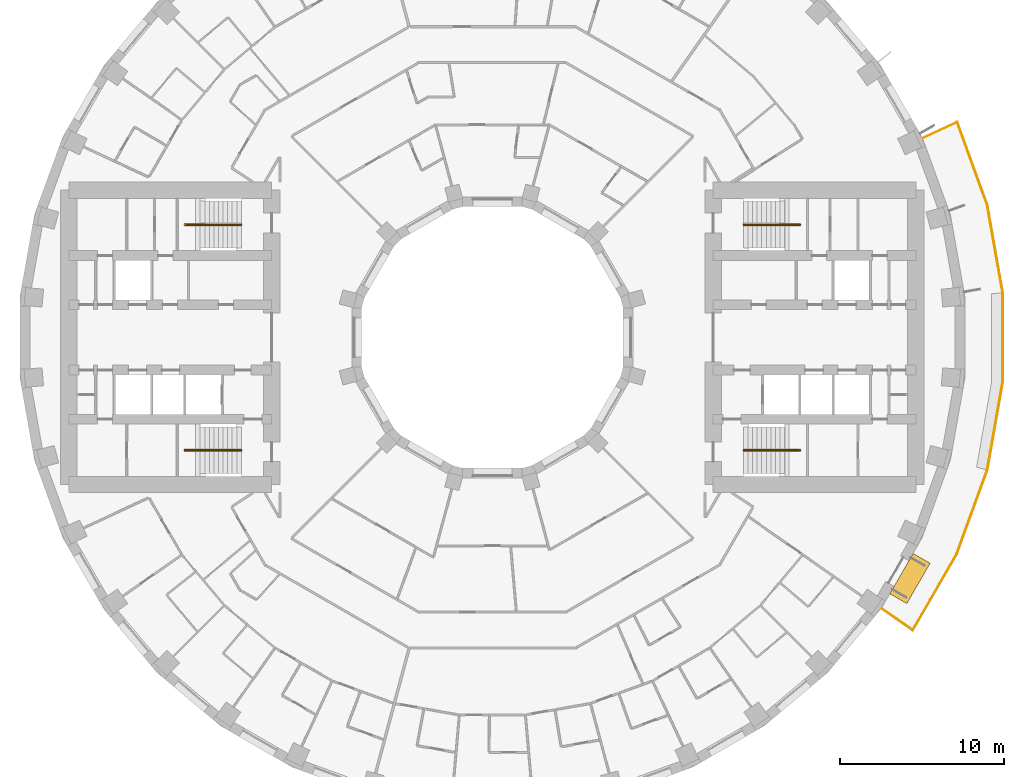
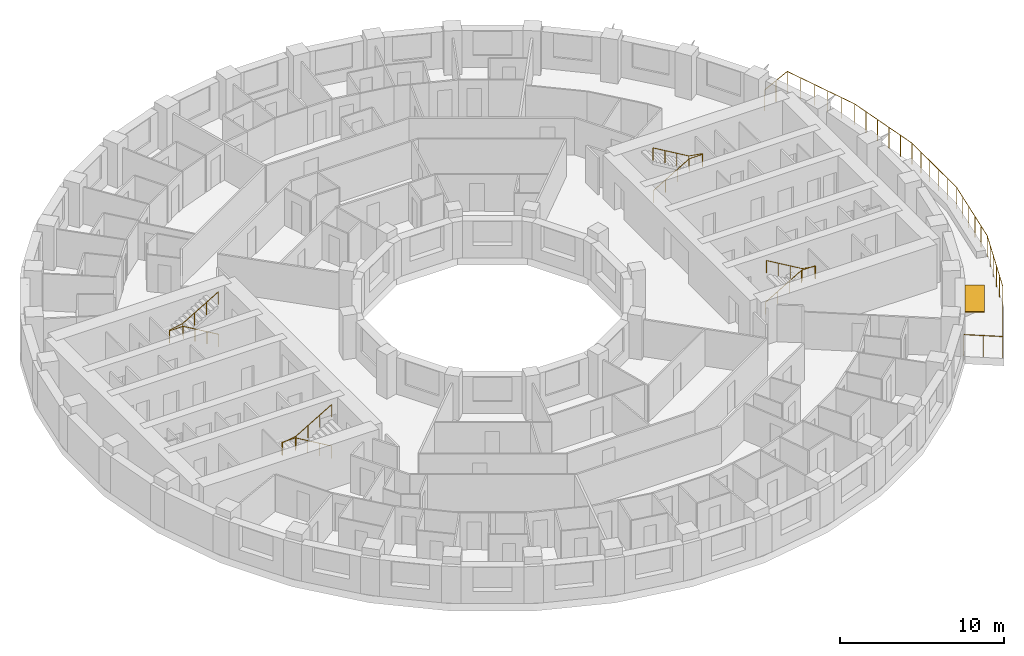
# One storey, part 14 of 14: 5 railings, 1 shading device.
"""IFC4 building model written with IfcOpenShell, lengths in metres."""

from ifc_helpers import new_model, si_unit, direction, frame, origin, origin_2d, place, context, subcontext, project, spatial, rectangle, circle, extrude, material, layer, layer_set, type_object, element, save


model = new_model("IFC4")

# Units and contexts
model_context = context("Model", 3, precision=1e-05, world=origin(), true_north=direction((0.0, 1.0)))
body_context = subcontext(model_context, "Body", "Model", "MODEL_VIEW")
ifc_project = project(units=[si_unit("LENGTHUNIT", "METRE"), si_unit("AREAUNIT", "SQUARE_METRE"), si_unit("VOLUMEUNIT", "CUBIC_METRE"), si_unit("PLANEANGLEUNIT", "RADIAN"), si_unit("MASSUNIT", "GRAM", prefix="KILO")], contexts=[model_context])

# Site, building, storey
site_placement = place(None, origin())
site = spatial("IfcSite", under=ifc_project, at=site_placement, CompositionType="ELEMENT")
building_placement = place(site_placement, origin())
building = spatial("IfcBuilding", under=site, at=building_placement, Name="Saqina Gate Tower", CompositionType="ELEMENT")
storey_placement = place(building_placement, frame((0.0, 0.0, 52.699951171875)))
storey = spatial("IfcBuildingStorey", under=building, at=storey_placement, Name="L14", CompositionType="ELEMENT", Elevation=52.699951171875)

# Shading device
ifc_material_1 = material(Name="Aluminium and fabric awning", Category="aluminium")
ifc_layer = layer(ifc_material_1, 0.050048828125)
ifc_layer_set = layer_set([ifc_layer], Name="AW-TERRACE")
shading_device_type = type_object("IfcShadingDeviceType", Name="AW-TERRACE", PredefinedType="AWNING", material=ifc_layer_set)
shading_device_placement = place(storey_placement, frame((25.538818359375, -14.744873046875, 2.52490234375), z_axis=(0.0, 0.0, 1.0), x_axis=(0.5, 0.866025403784, 0.0)))
element("IfcShadingDevice", 1, at=shading_device_placement, inside=storey, type_object=shading_device_type, Name="Terrace awning L14 facet 33", PredefinedType="AWNING", context=body_context, shape_type="SweptSolid", body=[
    extrude(rectangle(XDim=2.845703125, YDim=1.199951171875, at=origin_2d()), origin(), (0.0, 0.0, 1.0), 0.050048828125),
])

# Railings
ifc_material_2 = material(Name="Stainless steel", Category="steel")
railing_type_1 = type_object("IfcRailingType", Name="RL-TERRACE", PredefinedType="GUARDRAIL", material=ifc_material_2)
railing_1_placement = place(storey_placement, frame((23.752197265625, -16.53369140625, 0.0)))
element("IfcRailing", 2, at=railing_1_placement, inside=storey, type_object=railing_type_1, Name="Terrace guard L14", PredefinedType="GUARDRAIL", context=body_context, shape_type="SweptSolid", body=[
    extrude(circle(Radius=0.02392578125, at=origin_2d()), frame((0.0, 0.0, 1.576171875), z_axis=(0.819111872113, -0.573633803889, 0.0), x_axis=(0.573633803889, 0.819111872113, 0.0)), (0.0, 0.0, 1.0), 2.388916015625),
    extrude(circle(Radius=0.02392578125, at=origin_2d()), frame((1.956787109375, -1.370361328125, 1.576171875), z_axis=(0.49885293236, 0.866686651493, 0.0), x_axis=(-0.866686651493, 0.49885293236, 0.0)), (0.0, 0.0, 1.0), 5.381591796875),
    extrude(circle(Radius=0.02392578125, at=origin_2d()), frame((4.641357421875, 3.293701171875, 1.576171875), z_axis=(0.342048157644, 0.939682423935, 0.0), x_axis=(-0.939682423935, 0.342048157644, 0.0)), (0.0, 0.0, 1.0), 5.4609375),
    extrude(circle(Radius=0.02392578125, at=origin_2d()), frame((6.50927734375, 8.42529296875, 1.576171875), z_axis=(0.17364250929, 0.984808752483, 0.0), x_axis=(-0.984808752483, 0.17364250929, 0.0)), (0.0, 0.0, 1.0), 5.4609375),
    extrude(circle(Radius=0.02392578125, at=origin_2d()), frame((7.45751953125, 13.80322265625, 1.576171875), z_axis=(0.0, 1.0, 0.0), x_axis=(-1.0, 0.0, 0.0)), (0.0, 0.0, 1.0), 5.4609375),
    extrude(circle(Radius=0.02392578125, at=origin_2d()), frame((7.45751953125, 19.26416015625, 1.576171875), z_axis=(-0.17364250929, 0.984808752483, 0.0), x_axis=(-0.984808752483, -0.17364250929, 0.0)), (0.0, 0.0, 1.0), 5.4609375),
    extrude(circle(Radius=0.02392578125, at=origin_2d()), frame((6.50927734375, 24.64208984375, 1.576171875), z_axis=(-0.340810350952, 0.940132067682, 0.0), x_axis=(-0.940132067682, -0.340810350952, 0.0)), (0.0, 0.0, 1.0), 5.38134765625),
    extrude(circle(Radius=0.02392578125, at=origin_2d()), frame((4.67529296875, 29.701171875, 1.576171875), z_axis=(-0.906355396087, -0.422516148785, 0.0), x_axis=(0.422516148785, -0.906355396087, 0.0)), (0.0, 0.0, 1.0), 2.388671875),
    extrude(circle(Radius=0.02099609375, at=origin_2d()), origin(), (0.0, 0.0, 1.0), 1.552001953125),
    extrude(circle(Radius=0.02099609375, at=origin_2d()), frame((0.978515625, -0.68505859375, 0.0)), (0.0, 0.0, 1.0), 1.552001953125),
    extrude(circle(Radius=0.02099609375, at=origin_2d()), frame((1.956787109375, -1.370361328125, 0.0)), (0.0, 0.0, 1.0), 1.552001953125),
    extrude(circle(Radius=0.02099609375, at=origin_2d()), frame((2.49365234375, -0.4375, 0.0)), (0.0, 0.0, 1.0), 1.552001953125),
    extrude(circle(Radius=0.02099609375, at=origin_2d()), frame((3.030517578125, 0.495361328125, 0.0)), (0.0, 0.0, 1.0), 1.552001953125),
    extrude(circle(Radius=0.02099609375, at=origin_2d()), frame((3.567626953125, 1.427978515625, 0.0)), (0.0, 0.0, 1.0), 1.552001953125),
    extrude(circle(Radius=0.02099609375, at=origin_2d()), frame((4.1044921875, 2.36083984375, 0.0)), (0.0, 0.0, 1.0), 1.552001953125),
    extrude(circle(Radius=0.02099609375, at=origin_2d()), frame((4.641357421875, 3.293701171875, 0.0)), (0.0, 0.0, 1.0), 1.552001953125),
    extrude(circle(Radius=0.02099609375, at=origin_2d()), frame((5.014892578125, 4.320068359375, 0.0)), (0.0, 0.0, 1.0), 1.552001953125),
    extrude(circle(Radius=0.02099609375, at=origin_2d()), frame((5.388427734375, 5.346435546875, 0.0)), (0.0, 0.0, 1.0), 1.552001953125),
    extrude(circle(Radius=0.02099609375, at=origin_2d()), frame((5.76220703125, 6.37255859375, 0.0)), (0.0, 0.0, 1.0), 1.552001953125),
    extrude(circle(Radius=0.02099609375, at=origin_2d()), frame((6.1357421875, 7.39892578125, 0.0)), (0.0, 0.0, 1.0), 1.552001953125),
    extrude(circle(Radius=0.02099609375, at=origin_2d()), frame((6.50927734375, 8.42529296875, 0.0)), (0.0, 0.0, 1.0), 1.552001953125),
    extrude(circle(Radius=0.02099609375, at=origin_2d()), frame((6.698974609375, 9.5009765625, 0.0)), (0.0, 0.0, 1.0), 1.552001953125),
    extrude(circle(Radius=0.02099609375, at=origin_2d()), frame((6.888671875, 10.576416015625, 0.0)), (0.0, 0.0, 1.0), 1.552001953125),
    extrude(circle(Radius=0.02099609375, at=origin_2d()), frame((7.078125, 11.652099609375, 0.0)), (0.0, 0.0, 1.0), 1.552001953125),
    extrude(circle(Radius=0.02099609375, at=origin_2d()), frame((7.267822265625, 12.7275390625, 0.0)), (0.0, 0.0, 1.0), 1.552001953125),
    extrude(circle(Radius=0.02099609375, at=origin_2d()), frame((7.45751953125, 13.80322265625, 0.0)), (0.0, 0.0, 1.0), 1.552001953125),
    extrude(circle(Radius=0.02099609375, at=origin_2d()), frame((7.45751953125, 14.8955078125, 0.0)), (0.0, 0.0, 1.0), 1.552001953125),
    extrude(circle(Radius=0.02099609375, at=origin_2d()), frame((7.45751953125, 15.987548828125, 0.0)), (0.0, 0.0, 1.0), 1.552001953125),
    extrude(circle(Radius=0.02099609375, at=origin_2d()), frame((7.45751953125, 17.079833984375, 0.0)), (0.0, 0.0, 1.0), 1.552001953125),
    extrude(circle(Radius=0.02099609375, at=origin_2d()), frame((7.45751953125, 18.171875, 0.0)), (0.0, 0.0, 1.0), 1.552001953125),
    extrude(circle(Radius=0.02099609375, at=origin_2d()), frame((7.45751953125, 19.26416015625, 0.0)), (0.0, 0.0, 1.0), 1.552001953125),
    extrude(circle(Radius=0.02099609375, at=origin_2d()), frame((7.267822265625, 20.33984375, 0.0)), (0.0, 0.0, 1.0), 1.552001953125),
    extrude(circle(Radius=0.02099609375, at=origin_2d()), frame((7.078125, 21.415283203125, 0.0)), (0.0, 0.0, 1.0), 1.552001953125),
    extrude(circle(Radius=0.02099609375, at=origin_2d()), frame((6.888671875, 22.490966796875, 0.0)), (0.0, 0.0, 1.0), 1.552001953125),
    extrude(circle(Radius=0.02099609375, at=origin_2d()), frame((6.698974609375, 23.56640625, 0.0)), (0.0, 0.0, 1.0), 1.552001953125),
    extrude(circle(Radius=0.02099609375, at=origin_2d()), frame((6.50927734375, 24.64208984375, 0.0)), (0.0, 0.0, 1.0), 1.552001953125),
    extrude(circle(Radius=0.02099609375, at=origin_2d()), frame((6.142578125, 25.65380859375, 0.0)), (0.0, 0.0, 1.0), 1.552001953125),
    extrude(circle(Radius=0.02099609375, at=origin_2d()), frame((5.775634765625, 26.665771484375, 0.0)), (0.0, 0.0, 1.0), 1.552001953125),
    extrude(circle(Radius=0.02099609375, at=origin_2d()), frame((5.408935546875, 27.677490234375, 0.0)), (0.0, 0.0, 1.0), 1.552001953125),
    extrude(circle(Radius=0.02099609375, at=origin_2d()), frame((5.0419921875, 28.689453125, 0.0)), (0.0, 0.0, 1.0), 1.552001953125),
    extrude(circle(Radius=0.02099609375, at=origin_2d()), frame((4.67529296875, 29.701171875, 0.0)), (0.0, 0.0, 1.0), 1.552001953125),
    extrude(circle(Radius=0.02099609375, at=origin_2d()), frame((3.5927734375, 29.196533203125, 0.0)), (0.0, 0.0, 1.0), 1.552001953125),
    extrude(circle(Radius=0.02099609375, at=origin_2d()), frame((2.51025390625, 28.69189453125, 0.0)), (0.0, 0.0, 1.0), 1.552001953125),
])
ifc_material_3 = material(Name="Stainless steel", Category="steel")
railing_type_2 = type_object("IfcRailingType", Name="STAIR HANDRAIL", PredefinedType="HANDRAIL", material=ifc_material_3)
railing_2_placement = place(storey_placement, frame((15.35009765625, 6.86669921875, 0.1650390625)))
element("IfcRailing", 3, at=railing_2_placement, inside=storey, type_object=railing_type_2, Name="EXIT STAIR 1 HANDRAIL", PredefinedType="HANDRAIL", context=body_context, shape_type="SweptSolid", body=[
    extrude(circle(Radius=0.02392578125, at=origin_2d()), frame((0.0, 0.0, 0.92578125), z_axis=(0.86152411907, 0.0, 0.507716645641), x_axis=(0.0, 1.0, 0.0)), (0.0, 0.0, 1.0), 2.925048828125),
    extrude(circle(Radius=0.02392578125, at=origin_2d()), frame((2.52001953125, 0.0, 2.4111328125), z_axis=(1.0, 0.0, 0.0), x_axis=(0.0, 1.0, 0.0)), (0.0, 0.0, 1.0), 0.949951171875),
    extrude(circle(Radius=0.02392578125, at=origin_2d()), frame((3.469970703125, 0.0, 2.4111328125), z_axis=(0.0, 1.0, 0.0), x_axis=(-1.0, 0.0, 0.0)), (0.0, 0.0, 1.0), 0.066650390625),
    extrude(circle(Radius=0.02392578125, at=origin_2d()), frame((3.469970703125, 0.066650390625, 2.4111328125), z_axis=(-0.985284148366, 0.0, 0.170924389655), x_axis=(0.0, -1.0, 0.0)), (0.0, 0.0, 1.0), 0.964111328125),
    extrude(circle(Radius=0.02392578125, at=origin_2d()), frame((2.52001953125, 0.066650390625, 2.57568359375), z_axis=(-0.86152411907, 0.0, 0.507716645641), x_axis=(0.0, -1.0, 0.0)), (0.0, 0.0, 1.0), 2.925048828125),
    extrude(circle(Radius=0.02099609375, at=origin_2d()), origin(), (0.0, 0.0, 1.0), 0.90185546875),
    extrude(circle(Radius=0.02099609375, at=origin_2d()), frame((0.840087890625, 0.0, 0.4951171875)), (0.0, 0.0, 1.0), 0.90185546875),
    extrude(circle(Radius=0.02099609375, at=origin_2d()), frame((1.679931640625, 0.0, 0.989990234375)), (0.0, 0.0, 1.0), 0.90185546875),
    extrude(circle(Radius=0.02099609375, at=origin_2d()), frame((2.52001953125, 0.0, 1.485107421875)), (0.0, 0.0, 1.0), 0.90185546875),
    extrude(circle(Radius=0.02099609375, at=origin_2d()), frame((3.469970703125, 0.0, 1.485107421875)), (0.0, 0.0, 1.0), 0.90185546875),
    extrude(circle(Radius=0.02099609375, at=origin_2d()), frame((3.469970703125, 0.066650390625, 1.485107421875)), (0.0, 0.0, 1.0), 0.90185546875),
    extrude(circle(Radius=0.02099609375, at=origin_2d()), frame((2.52001953125, 0.066650390625, 1.64990234375)), (0.0, 0.0, 1.0), 0.90185546875),
    extrude(circle(Radius=0.02099609375, at=origin_2d()), frame((1.679931640625, 0.066650390625, 2.14501953125)), (0.0, 0.0, 1.0), 0.90185546875),
    extrude(circle(Radius=0.02099609375, at=origin_2d()), frame((0.840087890625, 0.066650390625, 2.639892578125)), (0.0, 0.0, 1.0), 0.90185546875),
    extrude(circle(Radius=0.02099609375, at=origin_2d()), frame((0.0, 0.066650390625, 3.135009765625)), (0.0, 0.0, 1.0), 0.90185546875),
])
railing_3_placement = place(storey_placement, frame((15.35009765625, -6.86669921875, 0.1650390625)))
element("IfcRailing", 4, at=railing_3_placement, inside=storey, type_object=railing_type_2, Name="EXIT STAIR 2 HANDRAIL", PredefinedType="HANDRAIL", context=body_context, shape_type="SweptSolid", body=[
    extrude(circle(Radius=0.02392578125, at=origin_2d()), frame((0.0, 0.0, 0.92578125), z_axis=(0.86152411907, 0.0, 0.507716645641), x_axis=(0.0, 1.0, 0.0)), (0.0, 0.0, 1.0), 2.925048828125),
    extrude(circle(Radius=0.02392578125, at=origin_2d()), frame((2.52001953125, 0.0, 2.4111328125), z_axis=(1.0, 0.0, 0.0), x_axis=(0.0, 1.0, 0.0)), (0.0, 0.0, 1.0), 0.949951171875),
    extrude(circle(Radius=0.02392578125, at=origin_2d()), frame((3.469970703125, 0.0, 2.4111328125), z_axis=(0.0, -1.0, 0.0), x_axis=(1.0, 0.0, 0.0)), (0.0, 0.0, 1.0), 0.066650390625),
    extrude(circle(Radius=0.02392578125, at=origin_2d()), frame((3.469970703125, -0.066650390625, 2.4111328125), z_axis=(-0.985284148366, 0.0, 0.170924389655), x_axis=(0.0, -1.0, 0.0)), (0.0, 0.0, 1.0), 0.964111328125),
    extrude(circle(Radius=0.02392578125, at=origin_2d()), frame((2.52001953125, -0.066650390625, 2.57568359375), z_axis=(-0.86152411907, 0.0, 0.507716645641), x_axis=(0.0, -1.0, 0.0)), (0.0, 0.0, 1.0), 2.925048828125),
    extrude(circle(Radius=0.02099609375, at=origin_2d()), origin(), (0.0, 0.0, 1.0), 0.90185546875),
    extrude(circle(Radius=0.02099609375, at=origin_2d()), frame((0.840087890625, 0.0, 0.4951171875)), (0.0, 0.0, 1.0), 0.90185546875),
    extrude(circle(Radius=0.02099609375, at=origin_2d()), frame((1.679931640625, 0.0, 0.989990234375)), (0.0, 0.0, 1.0), 0.90185546875),
    extrude(circle(Radius=0.02099609375, at=origin_2d()), frame((2.52001953125, 0.0, 1.485107421875)), (0.0, 0.0, 1.0), 0.90185546875),
    extrude(circle(Radius=0.02099609375, at=origin_2d()), frame((3.469970703125, 0.0, 1.485107421875)), (0.0, 0.0, 1.0), 0.90185546875),
    extrude(circle(Radius=0.02099609375, at=origin_2d()), frame((3.469970703125, -0.066650390625, 1.485107421875)), (0.0, 0.0, 1.0), 0.90185546875),
    extrude(circle(Radius=0.02099609375, at=origin_2d()), frame((2.52001953125, -0.066650390625, 1.64990234375)), (0.0, 0.0, 1.0), 0.90185546875),
    extrude(circle(Radius=0.02099609375, at=origin_2d()), frame((1.679931640625, -0.066650390625, 2.14501953125)), (0.0, 0.0, 1.0), 0.90185546875),
    extrude(circle(Radius=0.02099609375, at=origin_2d()), frame((0.840087890625, -0.066650390625, 2.639892578125)), (0.0, 0.0, 1.0), 0.90185546875),
    extrude(circle(Radius=0.02099609375, at=origin_2d()), frame((0.0, -0.066650390625, 3.135009765625)), (0.0, 0.0, 1.0), 0.90185546875),
])
railing_4_placement = place(storey_placement, frame((-15.35009765625, 6.86669921875, 0.1650390625)))
element("IfcRailing", 5, at=railing_4_placement, inside=storey, type_object=railing_type_2, Name="EXIT STAIR 3 HANDRAIL", PredefinedType="HANDRAIL", context=body_context, shape_type="SweptSolid", body=[
    extrude(circle(Radius=0.02392578125, at=origin_2d()), frame((0.0, 0.0, 0.92578125), z_axis=(-0.86152411907, 0.0, 0.507716645641), x_axis=(0.0, -1.0, 0.0)), (0.0, 0.0, 1.0), 2.925048828125),
    extrude(circle(Radius=0.02392578125, at=origin_2d()), frame((-2.52001953125, 0.0, 2.4111328125), z_axis=(-1.0, 0.0, 0.0), x_axis=(0.0, -1.0, 0.0)), (0.0, 0.0, 1.0), 0.949951171875),
    extrude(circle(Radius=0.02392578125, at=origin_2d()), frame((-3.469970703125, 0.0, 2.4111328125), z_axis=(0.0, 1.0, 0.0), x_axis=(-1.0, 0.0, 0.0)), (0.0, 0.0, 1.0), 0.066650390625),
    extrude(circle(Radius=0.02392578125, at=origin_2d()), frame((-3.469970703125, 0.066650390625, 2.4111328125), z_axis=(0.985284148366, 0.0, 0.170924389655), x_axis=(0.0, 1.0, 0.0)), (0.0, 0.0, 1.0), 0.964111328125),
    extrude(circle(Radius=0.02392578125, at=origin_2d()), frame((-2.52001953125, 0.066650390625, 2.57568359375), z_axis=(0.86152411907, 0.0, 0.507716645641), x_axis=(0.0, 1.0, 0.0)), (0.0, 0.0, 1.0), 2.925048828125),
    extrude(circle(Radius=0.02099609375, at=origin_2d()), origin(), (0.0, 0.0, 1.0), 0.90185546875),
    extrude(circle(Radius=0.02099609375, at=origin_2d()), frame((-0.840087890625, 0.0, 0.4951171875)), (0.0, 0.0, 1.0), 0.90185546875),
    extrude(circle(Radius=0.02099609375, at=origin_2d()), frame((-1.679931640625, 0.0, 0.989990234375)), (0.0, 0.0, 1.0), 0.90185546875),
    extrude(circle(Radius=0.02099609375, at=origin_2d()), frame((-2.52001953125, 0.0, 1.485107421875)), (0.0, 0.0, 1.0), 0.90185546875),
    extrude(circle(Radius=0.02099609375, at=origin_2d()), frame((-3.469970703125, 0.0, 1.485107421875)), (0.0, 0.0, 1.0), 0.90185546875),
    extrude(circle(Radius=0.02099609375, at=origin_2d()), frame((-3.469970703125, 0.066650390625, 1.485107421875)), (0.0, 0.0, 1.0), 0.90185546875),
    extrude(circle(Radius=0.02099609375, at=origin_2d()), frame((-2.52001953125, 0.066650390625, 1.64990234375)), (0.0, 0.0, 1.0), 0.90185546875),
    extrude(circle(Radius=0.02099609375, at=origin_2d()), frame((-1.679931640625, 0.066650390625, 2.14501953125)), (0.0, 0.0, 1.0), 0.90185546875),
    extrude(circle(Radius=0.02099609375, at=origin_2d()), frame((-0.840087890625, 0.066650390625, 2.639892578125)), (0.0, 0.0, 1.0), 0.90185546875),
    extrude(circle(Radius=0.02099609375, at=origin_2d()), frame((0.0, 0.066650390625, 3.135009765625)), (0.0, 0.0, 1.0), 0.90185546875),
])
railing_5_placement = place(storey_placement, frame((-15.35009765625, -6.86669921875, 0.1650390625)))
element("IfcRailing", 6, at=railing_5_placement, inside=storey, type_object=railing_type_2, Name="EXIT STAIR 4 HANDRAIL", PredefinedType="HANDRAIL", context=body_context, shape_type="SweptSolid", body=[
    extrude(circle(Radius=0.02392578125, at=origin_2d()), frame((0.0, 0.0, 0.92578125), z_axis=(-0.86152411907, 0.0, 0.507716645641), x_axis=(0.0, -1.0, 0.0)), (0.0, 0.0, 1.0), 2.925048828125),
    extrude(circle(Radius=0.02392578125, at=origin_2d()), frame((-2.52001953125, 0.0, 2.4111328125), z_axis=(-1.0, 0.0, 0.0), x_axis=(0.0, -1.0, 0.0)), (0.0, 0.0, 1.0), 0.949951171875),
    extrude(circle(Radius=0.02392578125, at=origin_2d()), frame((-3.469970703125, 0.0, 2.4111328125), z_axis=(0.0, -1.0, 0.0), x_axis=(1.0, 0.0, 0.0)), (0.0, 0.0, 1.0), 0.066650390625),
    extrude(circle(Radius=0.02392578125, at=origin_2d()), frame((-3.469970703125, -0.066650390625, 2.4111328125), z_axis=(0.985284148366, 0.0, 0.170924389655), x_axis=(0.0, 1.0, 0.0)), (0.0, 0.0, 1.0), 0.964111328125),
    extrude(circle(Radius=0.02392578125, at=origin_2d()), frame((-2.52001953125, -0.066650390625, 2.57568359375), z_axis=(0.86152411907, 0.0, 0.507716645641), x_axis=(0.0, 1.0, 0.0)), (0.0, 0.0, 1.0), 2.925048828125),
    extrude(circle(Radius=0.02099609375, at=origin_2d()), origin(), (0.0, 0.0, 1.0), 0.90185546875),
    extrude(circle(Radius=0.02099609375, at=origin_2d()), frame((-0.840087890625, 0.0, 0.4951171875)), (0.0, 0.0, 1.0), 0.90185546875),
    extrude(circle(Radius=0.02099609375, at=origin_2d()), frame((-1.679931640625, 0.0, 0.989990234375)), (0.0, 0.0, 1.0), 0.90185546875),
    extrude(circle(Radius=0.02099609375, at=origin_2d()), frame((-2.52001953125, 0.0, 1.485107421875)), (0.0, 0.0, 1.0), 0.90185546875),
    extrude(circle(Radius=0.02099609375, at=origin_2d()), frame((-3.469970703125, 0.0, 1.485107421875)), (0.0, 0.0, 1.0), 0.90185546875),
    extrude(circle(Radius=0.02099609375, at=origin_2d()), frame((-3.469970703125, -0.066650390625, 1.485107421875)), (0.0, 0.0, 1.0), 0.90185546875),
    extrude(circle(Radius=0.02099609375, at=origin_2d()), frame((-2.52001953125, -0.066650390625, 1.64990234375)), (0.0, 0.0, 1.0), 0.90185546875),
    extrude(circle(Radius=0.02099609375, at=origin_2d()), frame((-1.679931640625, -0.066650390625, 2.14501953125)), (0.0, 0.0, 1.0), 0.90185546875),
    extrude(circle(Radius=0.02099609375, at=origin_2d()), frame((-0.840087890625, -0.066650390625, 2.639892578125)), (0.0, 0.0, 1.0), 0.90185546875),
    extrude(circle(Radius=0.02099609375, at=origin_2d()), frame((0.0, -0.066650390625, 3.135009765625)), (0.0, 0.0, 1.0), 0.90185546875),
])

save(model, "model.ifc")
